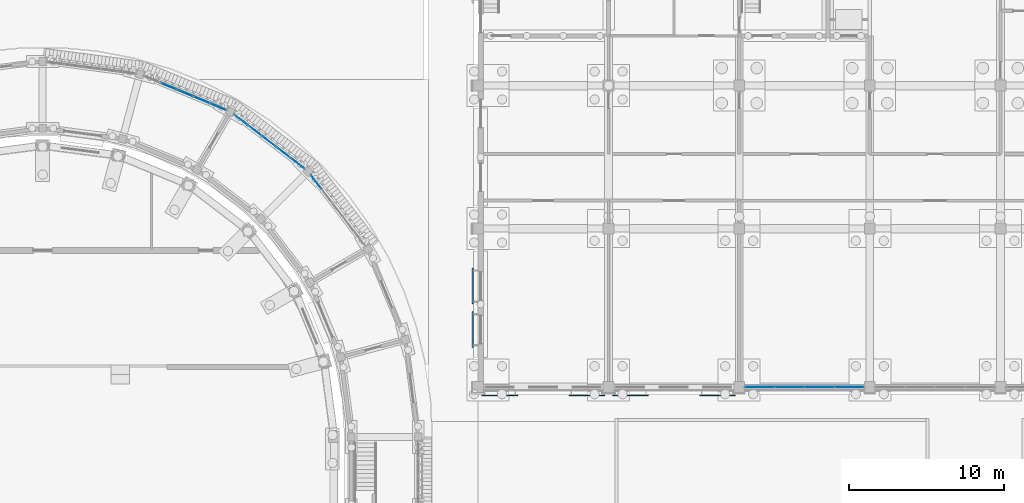
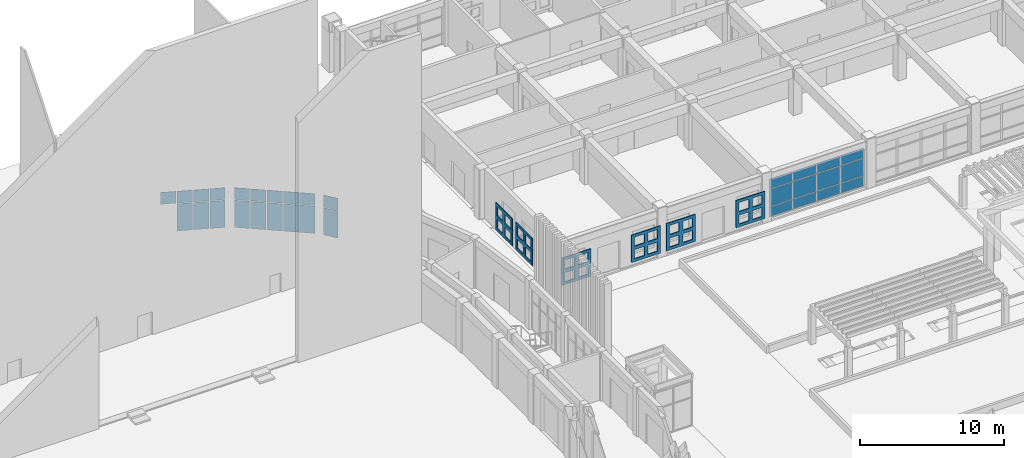
# One storey, part 54 of 112: 37 plates, 4 elements without a shape of their own.
"""IFC4 building model written with IfcOpenShell, lengths in metres."""

from ifc_helpers import new_model, si_unit, direction, frame, origin, origin_2d, place, context, subcontext, project, spatial, polyline, rectangle, outline, extrude, material, layer, layer_set, material_profile, profile_set, type_object, element, aggregate, save


model = new_model("IFC4")

# Units and contexts
model_context = context("Model", 3, precision=1e-05, world=origin(), true_north=direction((0.0, 1.0)))
body_context = subcontext(model_context, "Body", "Model", "MODEL_VIEW")
ifc_project = project(units=[si_unit("LENGTHUNIT", "METRE"), si_unit("AREAUNIT", "SQUARE_METRE"), si_unit("VOLUMEUNIT", "CUBIC_METRE"), si_unit("PLANEANGLEUNIT", "RADIAN"), si_unit("MASSUNIT", "GRAM", prefix="KILO")], contexts=[model_context])

# Site, building, storey
site_placement = place(None, origin())
site = spatial("IfcSite", under=ifc_project, at=site_placement, CompositionType="ELEMENT")
building_placement = place(site_placement, origin())
building = spatial("IfcBuilding", under=site, at=building_placement, Name="Wasatch Bagh Community Centre", CompositionType="ELEMENT")
storey_placement = place(building_placement, origin())
storey = spatial("IfcBuildingStorey", under=building, at=storey_placement, Name="L00", CompositionType="ELEMENT", Elevation=0.0)

# Curtain wall, plates
ifc_material_1 = material(Name="Aluminium curtain wall frame with low-iron insulated glass", Category="aluminium")
ifc_layer_1 = layer(ifc_material_1, 0.14990234375)
ifc_layer_set_1 = layer_set([ifc_layer_1], Name="Aluminium curtain wall frame with low-iron insulated glass")
curtain_wall_type_1 = type_object("IfcCurtainWallType", Name="Drum curtain wall DR-CW1", PredefinedType="NOTDEFINED", material=ifc_layer_set_1)
curtain_wall_1_placement = place(storey_placement, origin())
curtain_wall_1 = element("IfcCurtainWall", 1, at=curtain_wall_1_placement, inside=storey, type_object=curtain_wall_type_1, Name="Curtain wall DR-CW1 21", PredefinedType="NOTDEFINED")
ifc_material_2 = material(Name="Low-iron insulated glass", Category="glass")
ifc_layer_2 = layer(ifc_material_2, 0.028076171875)
ifc_layer_set_2 = layer_set([ifc_layer_2], Name="Low-iron insulated glass")
plate_type_1 = type_object("IfcPlateType", Name="Drum glass panel DR-CW1", PredefinedType="CURTAIN_PANEL", material=ifc_layer_set_2)
plate_1_placement = place(storey_placement, frame((53.597412109375, 81.39794921875, 0.06005859375), z_axis=(0.0, 0.0, 1.0), x_axis=(-0.608761429133, 0.793353340196, 0.0)))
plate_1 = element("IfcPlate", 2, at=plate_1_placement, type_object=plate_type_1, Name="DR-CW1 panel 5.1", PredefinedType="CURTAIN_PANEL", context=body_context, shape_type="SweptSolid", body=[
    extrude(rectangle(XDim=1.06591796875, YDim=0.028076171875, at=origin_2d()), origin(), (0.0, 0.0, 1.0), 2.31005859375),
])
plate_2_placement = place(storey_placement, frame((53.597412109375, 81.39794921875, 2.43017578125), z_axis=(0.0, 0.0, 1.0), x_axis=(-0.608761429133, 0.793353340196, 0.0)))
plate_2 = element("IfcPlate", 3, at=plate_2_placement, type_object=plate_type_1, Name="DR-CW1 panel 5.2", PredefinedType="CURTAIN_PANEL", context=body_context, shape_type="SweptSolid", body=[
    extrude(rectangle(XDim=1.06591796875, YDim=0.028076171875, at=origin_2d()), origin(), (0.0, 0.0, 1.0), 1.010009765625),
])
aggregate(curtain_wall_1, [plate_1, plate_2])

curtain_wall_2_placement = place(storey_placement, origin())
curtain_wall_2 = element("IfcCurtainWall", 4, at=curtain_wall_2_placement, inside=storey, type_object=curtain_wall_type_1, Name="Curtain wall DR-CW1 22", PredefinedType="NOTDEFINED")
plate_3_placement = place(storey_placement, frame((52.39794921875, 82.597412109375, 0.06005859375), z_axis=(0.0, 0.0, 1.0), x_axis=(-0.793353340196, 0.608761429133, 0.0)))
plate_3 = element("IfcPlate", 5, at=plate_3_placement, type_object=plate_type_1, Name="DR-CW1 panel 1.1", PredefinedType="CURTAIN_PANEL", context=body_context, shape_type="SweptSolid", body=[
    extrude(rectangle(XDim=1.06591796875, YDim=0.028076171875, at=origin_2d()), origin(), (0.0, 0.0, 1.0), 2.31005859375),
])
plate_4_placement = place(storey_placement, frame((52.39794921875, 82.597412109375, 2.43017578125), z_axis=(0.0, 0.0, 1.0), x_axis=(-0.793353340196, 0.608761429133, 0.0)))
plate_4 = element("IfcPlate", 6, at=plate_4_placement, type_object=plate_type_1, Name="DR-CW1 panel 1.2", PredefinedType="CURTAIN_PANEL", context=body_context, shape_type="SweptSolid", body=[
    extrude(rectangle(XDim=1.06591796875, YDim=0.028076171875, at=origin_2d()), origin(), (0.0, 0.0, 1.0), 1.010009765625),
])
plate_5_placement = place(storey_placement, frame((51.492919921875, 83.2919921875, 0.06005859375), z_axis=(0.0, 0.0, 1.0), x_axis=(-0.793353340196, 0.608761429133, 0.0)))
plate_5 = element("IfcPlate", 7, at=plate_5_placement, type_object=plate_type_1, Name="DR-CW1 panel 2.1", PredefinedType="CURTAIN_PANEL", context=body_context, shape_type="SweptSolid", body=[
    extrude(rectangle(XDim=1.095947265625, YDim=0.028076171875, at=origin_2d()), origin(), (0.0, 0.0, 1.0), 2.31005859375),
])
plate_6_placement = place(storey_placement, frame((51.492919921875, 83.2919921875, 2.43017578125), z_axis=(0.0, 0.0, 1.0), x_axis=(-0.793353340196, 0.608761429133, 0.0)))
plate_6 = element("IfcPlate", 8, at=plate_6_placement, type_object=plate_type_1, Name="DR-CW1 panel 2.2", PredefinedType="CURTAIN_PANEL", context=body_context, shape_type="SweptSolid", body=[
    extrude(rectangle(XDim=1.095947265625, YDim=0.028076171875, at=origin_2d()), origin(), (0.0, 0.0, 1.0), 1.010009765625),
])
plate_7_placement = place(storey_placement, frame((50.575927734375, 83.99560546875, 0.06005859375), z_axis=(0.0, 0.0, 1.0), x_axis=(-0.793353340196, 0.608761429133, 0.0)))
plate_7 = element("IfcPlate", 9, at=plate_7_placement, type_object=plate_type_1, Name="DR-CW1 panel 3.1", PredefinedType="CURTAIN_PANEL", context=body_context, shape_type="SweptSolid", body=[
    extrude(rectangle(XDim=1.095947265625, YDim=0.028076171875, at=origin_2d()), origin(), (0.0, 0.0, 1.0), 2.31005859375),
])
plate_8_placement = place(storey_placement, frame((50.575927734375, 83.99560546875, 2.43017578125), z_axis=(0.0, 0.0, 1.0), x_axis=(-0.793353340196, 0.608761429133, 0.0)))
plate_8 = element("IfcPlate", 10, at=plate_8_placement, type_object=plate_type_1, Name="DR-CW1 panel 3.2", PredefinedType="CURTAIN_PANEL", context=body_context, shape_type="SweptSolid", body=[
    extrude(rectangle(XDim=1.095947265625, YDim=0.028076171875, at=origin_2d()), origin(), (0.0, 0.0, 1.0), 1.010009765625),
])
plate_9_placement = place(storey_placement, frame((49.65869140625, 84.69921875, 0.06005859375), z_axis=(0.0, 0.0, 1.0), x_axis=(-0.793353340196, 0.608761429133, 0.0)))
plate_9 = element("IfcPlate", 11, at=plate_9_placement, type_object=plate_type_1, Name="DR-CW1 panel 4.1", PredefinedType="CURTAIN_PANEL", context=body_context, shape_type="SweptSolid", body=[
    extrude(rectangle(XDim=1.095947265625, YDim=0.028076171875, at=origin_2d()), origin(), (0.0, 0.0, 1.0), 2.31005859375),
])
plate_10_placement = place(storey_placement, frame((49.65869140625, 84.69921875, 2.43017578125), z_axis=(0.0, 0.0, 1.0), x_axis=(-0.793353340196, 0.608761429133, 0.0)))
plate_10 = element("IfcPlate", 12, at=plate_10_placement, type_object=plate_type_1, Name="DR-CW1 panel 4.2", PredefinedType="CURTAIN_PANEL", context=body_context, shape_type="SweptSolid", body=[
    extrude(rectangle(XDim=1.095947265625, YDim=0.028076171875, at=origin_2d()), origin(), (0.0, 0.0, 1.0), 1.010009765625),
])
plate_11_placement = place(storey_placement, frame((48.753662109375, 85.393798828125, 0.06005859375), z_axis=(0.0, 0.0, 1.0), x_axis=(-0.793353340196, 0.608761429133, 0.0)))
plate_11 = element("IfcPlate", 13, at=plate_11_placement, type_object=plate_type_1, Name="DR-CW1 panel 5.1", PredefinedType="CURTAIN_PANEL", context=body_context, shape_type="SweptSolid", body=[
    extrude(rectangle(XDim=1.06591796875, YDim=0.028076171875, at=origin_2d()), origin(), (0.0, 0.0, 1.0), 2.31005859375),
])
plate_12_placement = place(storey_placement, frame((48.753662109375, 85.393798828125, 2.43017578125), z_axis=(0.0, 0.0, 1.0), x_axis=(-0.793353340196, 0.608761429133, 0.0)))
plate_12 = element("IfcPlate", 14, at=plate_12_placement, type_object=plate_type_1, Name="DR-CW1 panel 5.2", PredefinedType="CURTAIN_PANEL", context=body_context, shape_type="SweptSolid", body=[
    extrude(rectangle(XDim=1.06591796875, YDim=0.028076171875, at=origin_2d()), origin(), (0.0, 0.0, 1.0), 1.010009765625),
])
aggregate(curtain_wall_2, [plate_3, plate_4, plate_5, plate_6, plate_7, plate_8, plate_9, plate_10, plate_11, plate_12])

curtain_wall_3_placement = place(storey_placement, origin())
curtain_wall_3 = element("IfcCurtainWall", 15, at=curtain_wall_3_placement, inside=storey, type_object=curtain_wall_type_1, Name="Curtain wall DR-CW1 23", PredefinedType="NOTDEFINED")
plate_13_placement = place(storey_placement, frame((47.28466796875, 86.241943359375, 0.06005859375), z_axis=(0.0, 0.0, 1.0), x_axis=(-0.923879532451, 0.38268343251, 0.0)))
plate_13 = element("IfcPlate", 16, at=plate_13_placement, type_object=plate_type_1, Name="DR-CW1 panel 1.1", PredefinedType="CURTAIN_PANEL", context=body_context, shape_type="SweptSolid", body=[
    extrude(rectangle(XDim=1.06591796875, YDim=0.028076171875, at=origin_2d()), origin(), (0.0, 0.0, 1.0), 2.31005859375),
])
plate_14_placement = place(storey_placement, frame((47.28466796875, 86.241943359375, 2.43017578125), z_axis=(0.0, 0.0, 1.0), x_axis=(-0.923879532451, 0.38268343251, 0.0)))
plate_14 = element("IfcPlate", 17, at=plate_14_placement, type_object=plate_type_1, Name="DR-CW1 panel 1.2", PredefinedType="CURTAIN_PANEL", context=body_context, shape_type="SweptSolid", body=[
    extrude(rectangle(XDim=1.06591796875, YDim=0.028076171875, at=origin_2d()), origin(), (0.0, 0.0, 1.0), 1.010009765625),
])
plate_15_placement = place(storey_placement, frame((46.230712890625, 86.678466796875, 0.06005859375), z_axis=(0.0, 0.0, 1.0), x_axis=(-0.923879532451, 0.38268343251, 0.0)))
plate_15 = element("IfcPlate", 18, at=plate_15_placement, type_object=plate_type_1, Name="DR-CW1 panel 2.1", PredefinedType="CURTAIN_PANEL", context=body_context, shape_type="SweptSolid", body=[
    extrude(rectangle(XDim=1.095947265625, YDim=0.028076171875, at=origin_2d()), origin(), (0.0, 0.0, 1.0), 2.31005859375),
])
plate_16_placement = place(storey_placement, frame((46.230712890625, 86.678466796875, 2.43017578125), z_axis=(0.0, 0.0, 1.0), x_axis=(-0.923879532451, 0.38268343251, 0.0)))
plate_16 = element("IfcPlate", 19, at=plate_16_placement, type_object=plate_type_1, Name="DR-CW1 panel 2.2", PredefinedType="CURTAIN_PANEL", context=body_context, shape_type="SweptSolid", body=[
    extrude(rectangle(XDim=1.095947265625, YDim=0.028076171875, at=origin_2d()), origin(), (0.0, 0.0, 1.0), 1.010009765625),
])
plate_17_placement = place(storey_placement, frame((45.162841796875, 87.120849609375, 0.06005859375), z_axis=(0.0, 0.0, 1.0), x_axis=(-0.923879532451, 0.38268343251, 0.0)))
plate_17 = element("IfcPlate", 20, at=plate_17_placement, type_object=plate_type_1, Name="DR-CW1 panel 3.1", PredefinedType="CURTAIN_PANEL", context=body_context, shape_type="SweptSolid", body=[
    extrude(rectangle(XDim=1.095947265625, YDim=0.028076171875, at=origin_2d()), origin(), (0.0, 0.0, 1.0), 2.31005859375),
])
plate_18_placement = place(storey_placement, frame((45.162841796875, 87.120849609375, 2.43017578125), z_axis=(0.0, 0.0, 1.0), x_axis=(-0.923879532451, 0.38268343251, 0.0)))
plate_18 = element("IfcPlate", 21, at=plate_18_placement, type_object=plate_type_1, Name="DR-CW1 panel 3.2", PredefinedType="CURTAIN_PANEL", context=body_context, shape_type="SweptSolid", body=[
    extrude(rectangle(XDim=1.095947265625, YDim=0.028076171875, at=origin_2d()), origin(), (0.0, 0.0, 1.0), 1.010009765625),
])
plate_19_placement = place(storey_placement, frame((44.094970703125, 87.563232421875, 2.43017578125), z_axis=(0.0, 0.0, 1.0), x_axis=(-0.923879532451, 0.38268343251, 0.0)))
plate_19 = element("IfcPlate", 22, at=plate_19_placement, type_object=plate_type_1, Name="DR-CW1 panel 4.2", PredefinedType="CURTAIN_PANEL", context=body_context, shape_type="SweptSolid", body=[
    extrude(rectangle(XDim=1.095947265625, YDim=0.028076171875, at=origin_2d()), origin(), (0.0, 0.0, 1.0), 1.010009765625),
])
aggregate(curtain_wall_3, [plate_13, plate_14, plate_15, plate_16, plate_17, plate_18, plate_19])

ifc_material_3 = material(Name="Aluminium curtain wall frame with low-iron glass", Category="aluminium")
ifc_layer_3 = layer(ifc_material_3, 0.139892578125)
ifc_layer_set_3 = layer_set([ifc_layer_3], Name="Aluminium curtain wall frame with low-iron glass")
curtain_wall_type_2 = type_object("IfcCurtainWallType", Name="LW terrace front curtain wall 140", PredefinedType="NOTDEFINED", material=ifc_layer_set_3)
curtain_wall_4_placement = place(storey_placement, origin())
curtain_wall_4 = element("IfcCurtainWall", 23, at=curtain_wall_4_placement, inside=storey, type_object=curtain_wall_type_2, Name="Curtain wall 00.01", PredefinedType="NOTDEFINED")
ifc_layer_4 = layer(ifc_material_2, 0.028076171875)
ifc_layer_set_4 = layer_set([ifc_layer_4], Name="Low-iron insulated glass")
plate_type_2 = type_object("IfcPlateType", Name="LW curtain wall panel 28 LW-CW3", PredefinedType="CURTAIN_PANEL", material=ifc_layer_set_4)
plate_20_placement = place(storey_placement, frame((82.12744140625, 68.199951171875, 0.06005859375), z_axis=(0.0, 0.0, 1.0), x_axis=(1.0, 0.0, 0.0)))
plate_20 = element("IfcPlate", 24, at=plate_20_placement, type_object=plate_type_2, Name="LW-CW3 panel 1.1", PredefinedType="CURTAIN_PANEL", context=body_context, shape_type="SweptSolid", body=[
    extrude(rectangle(XDim=1.8349609375, YDim=0.028076171875, at=origin_2d()), origin(), (0.0, 0.0, 1.0), 0.81005859375),
])
plate_21_placement = place(storey_placement, frame((82.12744140625, 68.199951171875, 0.929931640625), z_axis=(0.0, 0.0, 1.0), x_axis=(1.0, 0.0, 0.0)))
plate_21 = element("IfcPlate", 25, at=plate_21_placement, type_object=plate_type_2, Name="LW-CW3 panel 1.2", PredefinedType="CURTAIN_PANEL", context=body_context, shape_type="SweptSolid", body=[
    extrude(rectangle(XDim=1.8349609375, YDim=0.028076171875, at=origin_2d()), origin(), (0.0, 0.0, 1.0), 1.43994140625),
])
plate_22_placement = place(storey_placement, frame((82.12744140625, 68.199951171875, 2.429931640625), z_axis=(0.0, 0.0, 1.0), x_axis=(1.0, 0.0, 0.0)))
plate_22 = element("IfcPlate", 26, at=plate_22_placement, type_object=plate_type_2, Name="LW-CW3 panel 1.3", PredefinedType="CURTAIN_PANEL", context=body_context, shape_type="SweptSolid", body=[
    extrude(rectangle(XDim=1.8349609375, YDim=0.028076171875, at=origin_2d()), origin(), (0.0, 0.0, 1.0), 0.830078125),
])
plate_23_placement = place(storey_placement, frame((84.03759765625, 68.199951171875, 0.06005859375), z_axis=(0.0, 0.0, 1.0), x_axis=(1.0, 0.0, 0.0)))
plate_23 = element("IfcPlate", 27, at=plate_23_placement, type_object=plate_type_2, Name="LW-CW3 panel 2.1", PredefinedType="CURTAIN_PANEL", context=body_context, shape_type="SweptSolid", body=[
    extrude(rectangle(XDim=1.864990234375, YDim=0.028076171875, at=origin_2d()), origin(), (0.0, 0.0, 1.0), 0.81005859375),
])
plate_24_placement = place(storey_placement, frame((84.03759765625, 68.199951171875, 0.929931640625), z_axis=(0.0, 0.0, 1.0), x_axis=(1.0, 0.0, 0.0)))
plate_24 = element("IfcPlate", 28, at=plate_24_placement, type_object=plate_type_2, Name="LW-CW3 panel 2.2", PredefinedType="CURTAIN_PANEL", context=body_context, shape_type="SweptSolid", body=[
    extrude(rectangle(XDim=1.864990234375, YDim=0.028076171875, at=origin_2d()), origin(), (0.0, 0.0, 1.0), 1.43994140625),
])
plate_25_placement = place(storey_placement, frame((84.03759765625, 68.199951171875, 2.429931640625), z_axis=(0.0, 0.0, 1.0), x_axis=(1.0, 0.0, 0.0)))
plate_25 = element("IfcPlate", 29, at=plate_25_placement, type_object=plate_type_2, Name="LW-CW3 panel 2.3", PredefinedType="CURTAIN_PANEL", context=body_context, shape_type="SweptSolid", body=[
    extrude(rectangle(XDim=1.864990234375, YDim=0.028076171875, at=origin_2d()), origin(), (0.0, 0.0, 1.0), 0.830078125),
])
plate_26_placement = place(storey_placement, frame((85.96240234375, 68.199951171875, 0.06005859375), z_axis=(0.0, 0.0, 1.0), x_axis=(1.0, 0.0, 0.0)))
plate_26 = element("IfcPlate", 30, at=plate_26_placement, type_object=plate_type_2, Name="LW-CW3 panel 3.1", PredefinedType="CURTAIN_PANEL", context=body_context, shape_type="SweptSolid", body=[
    extrude(rectangle(XDim=1.864990234375, YDim=0.028076171875, at=origin_2d()), origin(), (0.0, 0.0, 1.0), 0.81005859375),
])
plate_27_placement = place(storey_placement, frame((85.96240234375, 68.199951171875, 0.929931640625), z_axis=(0.0, 0.0, 1.0), x_axis=(1.0, 0.0, 0.0)))
plate_27 = element("IfcPlate", 31, at=plate_27_placement, type_object=plate_type_2, Name="LW-CW3 panel 3.2", PredefinedType="CURTAIN_PANEL", context=body_context, shape_type="SweptSolid", body=[
    extrude(rectangle(XDim=1.864990234375, YDim=0.028076171875, at=origin_2d()), origin(), (0.0, 0.0, 1.0), 1.43994140625),
])
plate_28_placement = place(storey_placement, frame((85.96240234375, 68.199951171875, 2.429931640625), z_axis=(0.0, 0.0, 1.0), x_axis=(1.0, 0.0, 0.0)))
plate_28 = element("IfcPlate", 32, at=plate_28_placement, type_object=plate_type_2, Name="LW-CW3 panel 3.3", PredefinedType="CURTAIN_PANEL", context=body_context, shape_type="SweptSolid", body=[
    extrude(rectangle(XDim=1.864990234375, YDim=0.028076171875, at=origin_2d()), origin(), (0.0, 0.0, 1.0), 0.830078125),
])
plate_29_placement = place(storey_placement, frame((87.87255859375, 68.199951171875, 0.06005859375), z_axis=(0.0, 0.0, 1.0), x_axis=(1.0, 0.0, 0.0)))
plate_29 = element("IfcPlate", 33, at=plate_29_placement, type_object=plate_type_2, Name="LW-CW3 panel 4.1", PredefinedType="CURTAIN_PANEL", context=body_context, shape_type="SweptSolid", body=[
    extrude(rectangle(XDim=1.8349609375, YDim=0.028076171875, at=origin_2d()), origin(), (0.0, 0.0, 1.0), 0.81005859375),
])
plate_30_placement = place(storey_placement, frame((87.87255859375, 68.199951171875, 0.929931640625), z_axis=(0.0, 0.0, 1.0), x_axis=(1.0, 0.0, 0.0)))
plate_30 = element("IfcPlate", 34, at=plate_30_placement, type_object=plate_type_2, Name="LW-CW3 panel 4.2", PredefinedType="CURTAIN_PANEL", context=body_context, shape_type="SweptSolid", body=[
    extrude(rectangle(XDim=1.8349609375, YDim=0.028076171875, at=origin_2d()), origin(), (0.0, 0.0, 1.0), 1.43994140625),
])
plate_31_placement = place(storey_placement, frame((87.87255859375, 68.199951171875, 2.429931640625), z_axis=(0.0, 0.0, 1.0), x_axis=(1.0, 0.0, 0.0)))
plate_31 = element("IfcPlate", 35, at=plate_31_placement, type_object=plate_type_2, Name="LW-CW3 panel 4.3", PredefinedType="CURTAIN_PANEL", context=body_context, shape_type="SweptSolid", body=[
    extrude(rectangle(XDim=1.8349609375, YDim=0.028076171875, at=origin_2d()), origin(), (0.0, 0.0, 1.0), 0.830078125),
])
aggregate(curtain_wall_4, [plate_20, plate_21, plate_22, plate_23, plate_24, plate_25, plate_26, plate_27, plate_28, plate_29, plate_30, plate_31])

# Plates
ifc_material_4 = material(Name="Precast concrete C40/50", Category="concrete")
ifc_material_profile = material_profile(ifc_material_4, outline(polyline([(-1.159912109375, -1.159912109375), (1.159912109375, -1.159912109375), (1.159912109375, 1.159912109375), (-1.159912109375, 1.159912109375), (-1.159912109375, -1.159912109375)]), holes=[polyline([(-0.919921875, -0.919921875), (-0.14990234375, -0.919921875), (-0.14990234375, -0.14990234375), (-0.919921875, -0.14990234375), (-0.919921875, -0.919921875)]), polyline([(-0.919921875, 0.14990234375), (-0.14990234375, 0.14990234375), (-0.14990234375, 0.919921875), (-0.919921875, 0.919921875), (-0.919921875, 0.14990234375)]), polyline([(0.14990234375, -0.919921875), (0.919921875, -0.919921875), (0.919921875, -0.14990234375), (0.14990234375, -0.14990234375), (0.14990234375, -0.919921875)]), polyline([(0.14990234375, 0.14990234375), (0.919921875, 0.14990234375), (0.919921875, 0.919921875), (0.14990234375, 0.919921875), (0.14990234375, 0.14990234375)])]), Name="Jali lattice")
ifc_profile_set = profile_set([ifc_material_profile], Name="Precast concrete C40/50")
plate_type_3 = type_object("IfcPlateType", Name="LW jali panel 2320x2320", PredefinedType="SHEET", material=ifc_profile_set)
for number, where, z_axis, x_axis, name in (
    (36, (65.39990234375, 67.699951171875, 1.659912109375), (0.0, -1.0, 0.0), (1.0, 0.0, 0.0), "Jali panel"),
    (37, (71.0, 67.699951171875, 1.659912109375), (0.0, -1.0, 0.0), (1.0, 0.0, 0.0), "Jali panel"),
    (38, (73.800048828125, 67.699951171875, 1.659912109375), (0.0, -1.0, 0.0), (1.0, 0.0, 0.0), "Jali panel"),
    (39, (79.39990234375, 67.699951171875, 1.659912109375), (0.0, -1.0, 0.0), (1.0, 0.0, 0.0), "Jali panel"),
    (40, (63.699951171875, 71.89990234375, 1.659912109375), (-1.0, 0.0, 0.0), (0.0, -1.0, 0.0), "Jali panel"),
    (41, (63.699951171875, 74.699951171875, 1.659912109375), (-1.0, 0.0, 0.0), (0.0, -1.0, 0.0), "Jali panel"),
):
    element("IfcPlate", number, at=place(storey_placement, frame(where, z_axis=z_axis, x_axis=x_axis)), inside=storey, type_object=plate_type_3, Name=name, PredefinedType="SHEET", context=body_context, shape_type="SweptSolid", body=[
        extrude(outline(polyline([(-1.159912109375, -1.159912109375), (1.159912109375, -1.159912109375), (1.159912109375, 1.159912109375), (-1.159912109375, 1.159912109375), (-1.159912109375, -1.159912109375)]), holes=[polyline([(-0.919921875, -0.919921875), (-0.14990234375, -0.919921875), (-0.14990234375, -0.14990234375), (-0.919921875, -0.14990234375), (-0.919921875, -0.919921875)]), polyline([(-0.919921875, 0.14990234375), (-0.14990234375, 0.14990234375), (-0.14990234375, 0.919921875), (-0.919921875, 0.919921875), (-0.919921875, 0.14990234375)]), polyline([(0.14990234375, -0.919921875), (0.919921875, -0.919921875), (0.919921875, -0.14990234375), (0.14990234375, -0.14990234375), (0.14990234375, -0.919921875)]), polyline([(0.14990234375, 0.14990234375), (0.919921875, 0.14990234375), (0.919921875, 0.919921875), (0.14990234375, 0.919921875), (0.14990234375, 0.14990234375)])]), origin(), (0.0, 0.0, 1.0), 0.070068359375),
    ])

save(model, "model.ifc")
